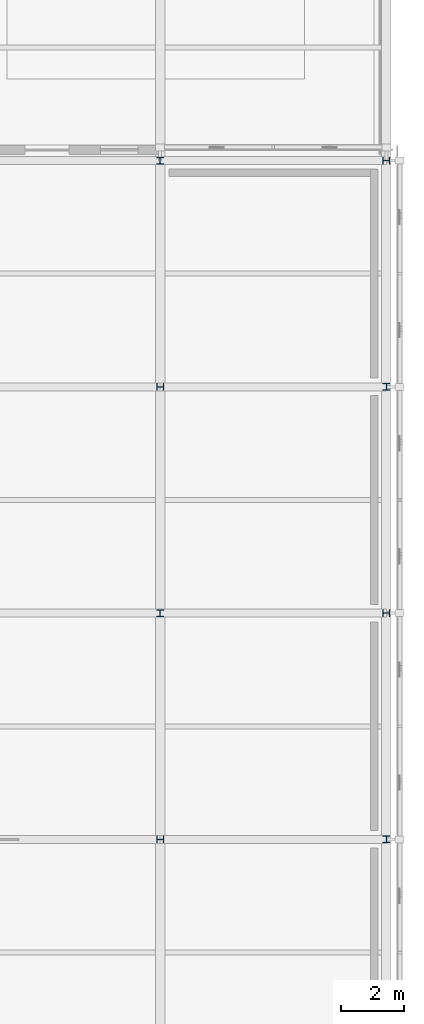
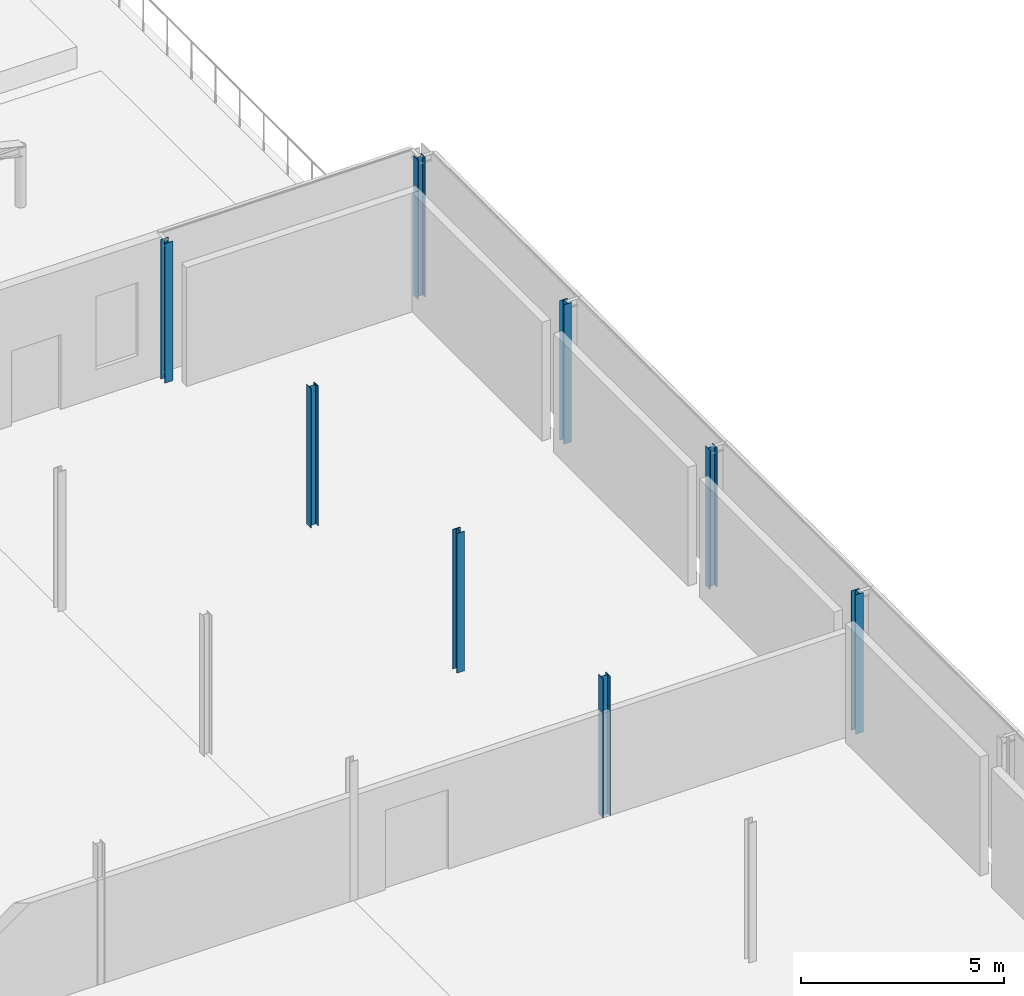
# One storey, part 17 of 126: 8 columns.
"""IFC4 building model written with IfcOpenShell, lengths in metres."""

from ifc_helpers import new_model, si_unit, direction, frame, origin, origin_2d, place, context, subcontext, project, spatial, i_section, extrude, material, material_profile, profile_set, type_object, element, save


model = new_model("IFC4")

# Units and contexts
model_context = context("Model", 3, precision=1e-05, world=origin(), true_north=direction((0.0, 1.0)))
body_context = subcontext(model_context, "Body", "Model", "MODEL_VIEW")
ifc_project = project(units=[si_unit("LENGTHUNIT", "METRE"), si_unit("AREAUNIT", "SQUARE_METRE"), si_unit("VOLUMEUNIT", "CUBIC_METRE"), si_unit("PLANEANGLEUNIT", "RADIAN"), si_unit("MASSUNIT", "GRAM", prefix="KILO")], contexts=[model_context])

# Site, building, storey
site_placement = place(None, origin())
site = spatial("IfcSite", under=ifc_project, at=site_placement, CompositionType="ELEMENT")
building_placement = place(site_placement, origin())
building = spatial("IfcBuilding", under=site, at=building_placement, Name="Zlatovets Crest Museum", CompositionType="ELEMENT")
storey_placement = place(building_placement, frame((0.0, 0.0, 8.699951171875)))
storey = spatial("IfcBuildingStorey", under=building, at=storey_placement, Name="L02", CompositionType="ELEMENT", Elevation=8.699951171875)

# Columns
ifc_material = material(Name="Structural steel S355J2", Category="steel")
ifc_material_profile = material_profile(ifc_material, i_section(OverallWidth=0.219970703125, OverallDepth=0.219970703125, WebThickness=0.009521484375, FlangeThickness=0.01611328125, FilletRadius=0.01806640625, at=origin_2d()), Name="HEB 220")
ifc_profile_set = profile_set([ifc_material_profile], Name="Structural steel S355J2")
column_type = type_object("IfcColumnType", Name="Col_C-19", PredefinedType="COLUMN", material=ifc_profile_set)
for number, where, z_axis, x_axis, name in (
    (1, (158.39990234375, 36.0, 0.0), (0.0, 0.0, 1.0), (0.0, 1.0, 0.0), "V5 L02 Column (158.4, 36.0)"),
    (2, (158.39990234375, 43.199951171875, 0.0), (0.0, 0.0, 1.0), (1.0, 0.0, 0.0), "V5 L02 Column (158.4, 43.2)"),
    (3, (158.39990234375, 50.39990234375, 0.0), (0.0, 0.0, 1.0), (0.0, 1.0, 0.0), "V5 L02 Column (158.4, 50.4)"),
    (4, (158.39990234375, 57.60009765625, 0.0), (0.0, 0.0, 1.0), (1.0, 0.0, 0.0), "V5 L02 Column (158.4, 57.6)"),
    (5, (165.60009765625, 36.0, 0.0), (0.0, 0.0, 1.0), (1.0, 0.0, 0.0), "V5 L02 Column (165.6, 36.0)"),
    (6, (165.60009765625, 43.199951171875, 0.0), (0.0, 0.0, 1.0), (0.0, 1.0, 0.0), "V5 L02 Column (165.6, 43.2)"),
    (7, (165.60009765625, 50.39990234375, 0.0), (0.0, 0.0, 1.0), (1.0, 0.0, 0.0), "V5 L02 Column (165.6, 50.4)"),
    (8, (165.60009765625, 57.60009765625, 0.0), (0.0, 0.0, 1.0), (0.0, 1.0, 0.0), "V5 L02 Column (165.6, 57.6)"),
):
    element("IfcColumn", number, at=place(storey_placement, frame(where, z_axis=z_axis, x_axis=x_axis)), inside=storey, type_object=column_type, Name=name, PredefinedType="COLUMN", context=body_context, shape_type="SweptSolid", body=[
        extrude(i_section(OverallWidth=0.219970703125, OverallDepth=0.219970703125, WebThickness=0.009521484375, FlangeThickness=0.01611328125, FilletRadius=0.01806640625, at=origin_2d()), origin(), (0.0, 0.0, 1.0), 4.199951171875),
    ])

save(model, "model.ifc")
